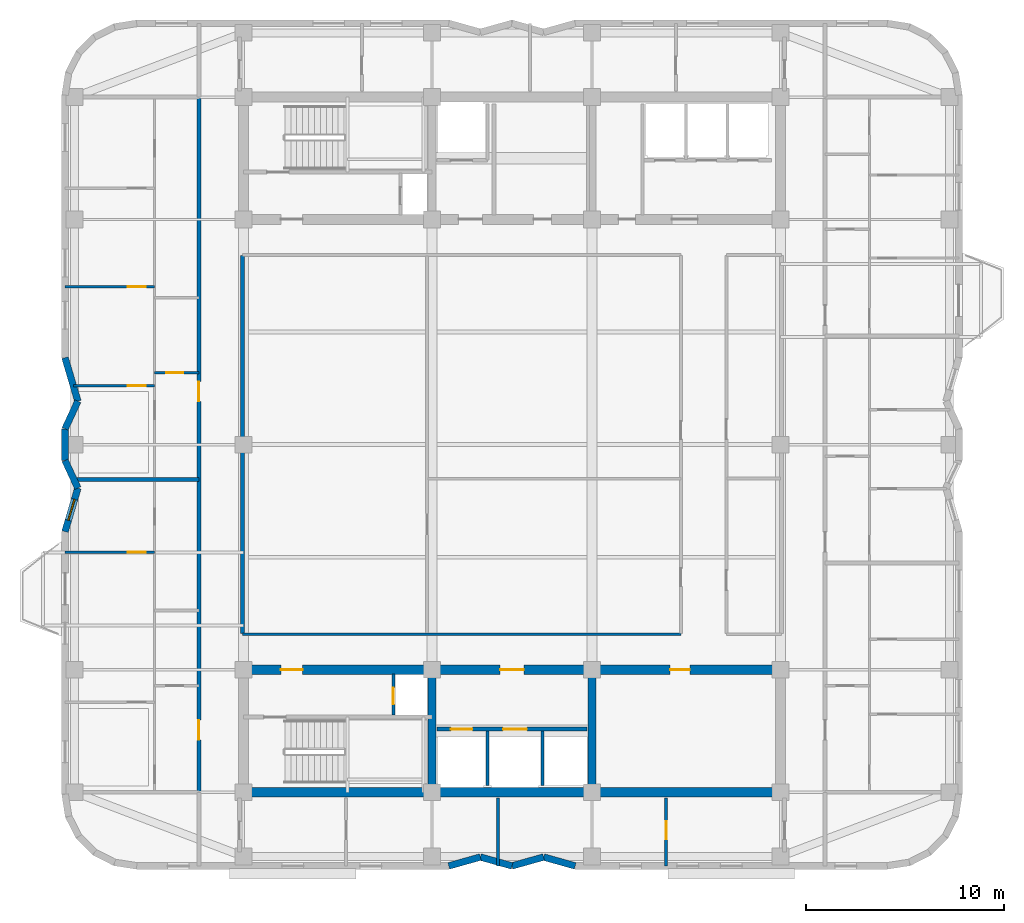
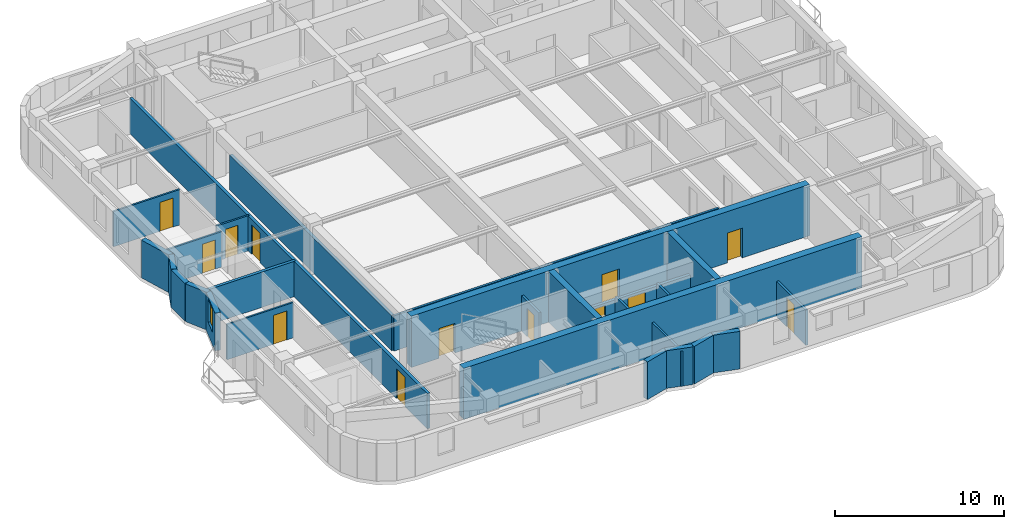
# One storey, part 3 of 9: 27 walls, 13 doors, 1 window, 14 openings.
"""IFC4 building model written with IfcOpenShell, lengths in metres."""

from ifc_helpers import new_model, si_unit, direction, frame, frame_2d, origin, place, context, subcontext, project, spatial, rectangle, extrude, material, layer, layer_set, type_object, element, fill, save


model = new_model("IFC4")

# Units and contexts
model_context = context("Model", 3, precision=1e-05, world=origin(), true_north=direction((0.0, 1.0)))
body_context = subcontext(model_context, "Body", "Model", "MODEL_VIEW")
ifc_project = project(units=[si_unit("LENGTHUNIT", "METRE"), si_unit("AREAUNIT", "SQUARE_METRE"), si_unit("VOLUMEUNIT", "CUBIC_METRE"), si_unit("PLANEANGLEUNIT", "RADIAN"), si_unit("MASSUNIT", "GRAM", prefix="KILO")], contexts=[model_context])

# Site, building, storey
site_placement = place(None, origin())
site = spatial("IfcSite", under=ifc_project, at=site_placement, CompositionType="ELEMENT")
building_placement = place(site_placement, origin())
building = spatial("IfcBuilding", under=site, at=building_placement, Name="Svetorya Sky Lyceum", CompositionType="ELEMENT")
storey_placement = place(building_placement, frame((0.0, 0.0, 214.699951171875)))
storey = spatial("IfcBuildingStorey", under=building, at=storey_placement, Name="L53", CompositionType="ELEMENT", Elevation=214.699951171875)

# Walls
ifc_material_1 = material(Name="Concrete C40/50", Category="concrete")
ifc_layer_1 = layer(ifc_material_1, 0.39990234375)
ifc_layer_set_1 = layer_set([ifc_layer_1], Name="Concrete C40/50")
wall_type_1 = type_object("IfcWallType", Name="WL-CORE-400", PredefinedType="SHEAR", material=ifc_layer_set_1)
for number, where, z_axis, x_axis, name in (
    (1, (35.14990234375, 10.85009765625, 0.0), (0.0, 0.0, 1.0), (0.0, 1.0, 0.0), "L53 SC Internal Shear Web WEB1"),
    (2, (43.25, 10.85009765625, 0.0), (0.0, 0.0, 1.0), (0.0, 1.0, 0.0), "L53 SC Internal Shear Web WEB2"),
):
    element("IfcWall", number, at=place(storey_placement, frame(where, z_axis=z_axis, x_axis=x_axis)), inside=storey, type_object=wall_type_1, Name=name, PredefinedType="SHEAR", context=body_context, shape_type="SweptSolid", body=[
        extrude(rectangle(XDim=5.699951171875, YDim=0.39990234375, at=frame_2d((2.85009765625, 0.0))), origin(), (0.0, 0.0, 1.0), 3.699951171875),
    ])
ifc_material_2 = material(Name="Concrete C50/60", Category="concrete")
ifc_layer_2 = layer(ifc_material_2, 0.5)
ifc_layer_set_2 = layer_set([ifc_layer_2], Name="Concrete C50/60")
wall_type_2 = type_object("IfcWallType", Name="WL-CORE-500", PredefinedType="SHEAR", material=ifc_layer_set_2)
wall_1_placement = place(storey_placement, frame((52.800048828125, 10.60009765625, 0.0), z_axis=(0.0, 0.0, 1.0), x_axis=(-1.0, 0.0, 0.0)))
element("IfcWall", 3, at=wall_1_placement, inside=storey, type_object=wall_type_2, Name="L53 SC Outer Core Shear Wall", PredefinedType="SHEAR", context=body_context, shape_type="SweptSolid", body=[
    extrude(rectangle(XDim=27.199951171875, YDim=0.5, at=frame_2d((13.60009765625, 0.0))), origin(), (0.0, 0.0, 1.0), 3.699951171875),
])

# Wall, openings, doors
wall_2_placement = place(storey_placement, frame((25.60009765625, 16.800048828125, 0.0), z_axis=(0.0, 0.0, 1.0), x_axis=(1.0, 0.0, 0.0)))
wall_2 = element("IfcWall", 4, at=wall_2_placement, inside=storey, type_object=wall_type_2, Name="L53 SC Inner Core Shear Wall", PredefinedType="SHEAR", context=body_context, shape_type="SweptSolid", body=[
    extrude(rectangle(XDim=27.199951171875, YDim=0.5, at=frame_2d((13.60009765625, 0.0))), origin(), (0.0, 0.0, 1.0), 3.699951171875),
])
opening_1_placement = place(wall_2_placement, frame((1.89990234375, 0.0, 0.0)))
opening_1 = element("IfcOpeningElement", 5, at=opening_1_placement, cuts=wall_2, Name="Opening D-ST1", PredefinedType="OPENING", context=body_context, shape_type="SweptSolid", body=[
    extrude(rectangle(XDim=1.10009765625, YDim=2.14990234375, at=frame_2d((0.550048828125, 1.074951171875))), frame((0.0, 0.260009765625, 0.0), z_axis=(0.0, -1.0, 0.0), x_axis=(1.0, 0.0, 0.0)), (0.0, 0.0, 1.0), 0.52001953125),
])
opening_2_placement = place(wall_2_placement, frame((13.0, 0.0, 0.0)))
opening_2 = element("IfcOpeningElement", 6, at=opening_2_placement, cuts=wall_2, Name="Opening D-FL1", PredefinedType="OPENING", context=body_context, shape_type="SweptSolid", body=[
    extrude(rectangle(XDim=1.199951171875, YDim=2.14990234375, at=frame_2d((0.60009765625, 1.074951171875))), frame((0.0, 0.260009765625, 0.0), z_axis=(0.0, -1.0, 0.0), x_axis=(1.0, 0.0, 0.0)), (0.0, 0.0, 1.0), 0.52001953125),
])
opening_3_placement = place(wall_2_placement, frame((21.60009765625, 0.0, 0.0)))
opening_3 = element("IfcOpeningElement", 7, at=opening_3_placement, cuts=wall_2, Name="Opening D-RM2", PredefinedType="OPENING", context=body_context, shape_type="SweptSolid", body=[
    extrude(rectangle(XDim=1.0, YDim=2.14990234375, at=frame_2d((0.5, 1.074951171875))), frame((0.0, 0.260009765625, 0.0), z_axis=(0.0, -1.0, 0.0), x_axis=(1.0, 0.0, 0.0)), (0.0, 0.0, 1.0), 0.52001953125),
])
ifc_material_3 = material(Name="Powder-coated insulated galvanized stair fire door")
door_type_1 = type_object("IfcDoorType", Name="DR-FIRE-1100", OperationType="SINGLE_SWING_LEFT", PredefinedType="DOOR", material=ifc_material_3)
door_1_placement = place(opening_1_placement, origin())
door_1 = element("IfcDoor", 8, at=door_1_placement, inside=storey, type_object=door_type_1, Name="L53 South Stair Airlock Door", OperationType="SINGLE_SWING_RIGHT", OverallHeight=2.14990234375, OverallWidth=1.10009765625, PredefinedType="DOOR", context=body_context, shape_type="SweptSolid", body=[
    extrude(rectangle(XDim=1.10009765625, YDim=2.14990234375, at=frame_2d((0.550048828125, 1.074951171875))), frame((0.0, 0.02490234375, 0.0), z_axis=(0.0, -1.0, 0.0), x_axis=(1.0, 0.0, 0.0)), (0.0, 0.0, 1.0), 0.050048828125),
])
fill(opening_1, door_1)
ifc_material_4 = material(Name="Powder-coated insulated galvanized fire door")
door_type_2 = type_object("IfcDoorType", Name="DR-FIRE-1200", OperationType="SINGLE_SWING_LEFT", PredefinedType="DOOR", material=ifc_material_4)
door_2_placement = place(opening_2_placement, origin())
door_2 = element("IfcDoor", 9, at=door_2_placement, inside=storey, type_object=door_type_2, Name="L53 South Firefighting Lift Lobby Door", OperationType="SINGLE_SWING_LEFT", OverallHeight=2.14990234375, OverallWidth=1.199951171875, PredefinedType="DOOR", context=body_context, shape_type="SweptSolid", body=[
    extrude(rectangle(XDim=1.199951171875, YDim=2.14990234375, at=frame_2d((0.60009765625, 1.074951171875))), frame((0.0, 0.02490234375, 0.0), z_axis=(0.0, -1.0, 0.0), x_axis=(1.0, 0.0, 0.0)), (0.0, 0.0, 1.0), 0.050048828125),
])
fill(opening_2, door_2)
ifc_material_5 = material(Name="Solid-core oak acoustic room door")
door_type_3 = type_object("IfcDoorType", Name="DR-INT-1000", OperationType="SINGLE_SWING_LEFT", PredefinedType="DOOR", material=ifc_material_5)
door_3_placement = place(opening_3_placement, origin())
door_3 = element("IfcDoor", 10, at=door_3_placement, inside=storey, type_object=door_type_3, Name="L53 Trunk Store Door", OperationType="SINGLE_SWING_LEFT", OverallHeight=2.14990234375, OverallWidth=1.0, PredefinedType="DOOR", context=body_context, shape_type="SweptSolid", body=[
    extrude(rectangle(XDim=1.0, YDim=2.14990234375, at=frame_2d((0.5, 1.074951171875))), frame((0.0, 0.02490234375, 0.0), z_axis=(0.0, -1.0, 0.0), x_axis=(1.0, 0.0, 0.0)), (0.0, 0.0, 1.0), 0.050048828125),
])
fill(opening_3, door_3)

# Walls
ifc_material_6 = material(Name="Putilovo limestone rainscreen on autoclaved cellular masonry", Category="masonry")
ifc_layer_3 = layer(ifc_material_6, 0.340087890625)
ifc_layer_set_3 = layer_set([ifc_layer_3], Name="Putilovo limestone rainscreen on autoclaved cellular masonry")
wall_type_3 = type_object("IfcWallType", Name="WL-EXT-340", PredefinedType="SOLIDWALL", material=ifc_layer_set_3)
wall_3_placement = place(storey_placement, frame((36.0, 6.8701171875, 0.0), z_axis=(0.0, 0.0, 1.0), x_axis=(0.962662902433, 0.270703040766, 0.0)))
element("IfcWall", 11, at=wall_3_placement, inside=storey, type_object=wall_type_3, Name="L53 Limestone Exterior Wall 7M", PredefinedType="SOLIDWALL", context=body_context, shape_type="SweptSolid", body=[
    extrude(rectangle(XDim=1.662109375, YDim=0.340087890625, at=frame_2d((0.8310546875, 0.0))), origin(), (0.0, 0.0, 1.0), 2.719970703125),
])
wall_4_placement = place(storey_placement, frame((37.60009765625, 7.320068359375, 0.0), z_axis=(0.0, 0.0, 1.0), x_axis=(0.962652136636, -0.270741322725, 0.0)))
element("IfcWall", 12, at=wall_4_placement, inside=storey, type_object=wall_type_3, Name="L53 Limestone Exterior Wall 8M", PredefinedType="SOLIDWALL", context=body_context, shape_type="SweptSolid", body=[
    extrude(rectangle(XDim=1.661865234375, YDim=0.340087890625, at=frame_2d((0.8310546875, 0.0))), origin(), (0.0, 0.0, 1.0), 2.719970703125),
])
wall_5_placement = place(storey_placement, frame((39.199951171875, 6.8701171875, 0.0), z_axis=(0.0, 0.0, 1.0), x_axis=(0.962662902433, 0.270703040766, 0.0)))
element("IfcWall", 13, at=wall_5_placement, inside=storey, type_object=wall_type_3, Name="L53 Limestone Exterior Wall 9M", PredefinedType="SOLIDWALL", context=body_context, shape_type="SweptSolid", body=[
    extrude(rectangle(XDim=1.662109375, YDim=0.340087890625, at=frame_2d((0.8310546875, 0.0))), origin(), (0.0, 0.0, 1.0), 2.719970703125),
])
wall_6_placement = place(storey_placement, frame((40.800048828125, 7.320068359375, 0.0), z_axis=(0.0, 0.0, 1.0), x_axis=(0.962652136636, -0.270741322725, 0.0)))
element("IfcWall", 14, at=wall_6_placement, inside=storey, type_object=wall_type_3, Name="L53 Limestone Exterior Wall 10M", PredefinedType="SOLIDWALL", context=body_context, shape_type="SweptSolid", body=[
    extrude(rectangle(XDim=1.661865234375, YDim=0.340087890625, at=frame_2d((0.8310546875, 0.0))), origin(), (0.0, 0.0, 1.0), 2.719970703125),
])
wall_7_placement = place(storey_placement, frame((16.570068359375, 32.60009765625, 0.0), z_axis=(0.0, 0.0, 1.0), x_axis=(0.28328385701, -0.959036107953, 0.0)))
element("IfcWall", 15, at=wall_7_placement, inside=storey, type_object=wall_type_3, Name="L53 Limestone Exterior Wall 41M", PredefinedType="SOLIDWALL", context=body_context, shape_type="SweptSolid", body=[
    extrude(rectangle(XDim=2.294189453125, YDim=0.340087890625, at=frame_2d((1.14697265625, 0.0))), origin(), (0.0, 0.0, 1.0), 2.719970703125),
])
wall_8_placement = place(storey_placement, frame((17.219970703125, 30.39990234375, 0.0), z_axis=(0.0, 0.0, 1.0), x_axis=(-0.421083420882, -0.907021914101, 0.0)))
element("IfcWall", 16, at=wall_8_placement, inside=storey, type_object=wall_type_3, Name="L53 Limestone Exterior Wall 42M", PredefinedType="SOLIDWALL", context=body_context, shape_type="SweptSolid", body=[
    extrude(rectangle(XDim=1.54345703125, YDim=0.340087890625, at=frame_2d((0.771728515625, 0.0))), origin(), (0.0, 0.0, 1.0), 2.719970703125),
])
wall_9_placement = place(storey_placement, frame((16.570068359375, 29.0, 0.0), z_axis=(0.0, 0.0, 1.0), x_axis=(0.0, -1.0, 0.0)))
element("IfcWall", 17, at=wall_9_placement, inside=storey, type_object=wall_type_3, Name="L53 Limestone Exterior Wall 43M", PredefinedType="SOLIDWALL", context=body_context, shape_type="SweptSolid", body=[
    extrude(rectangle(XDim=1.60009765625, YDim=0.340087890625, at=frame_2d((0.800048828125, 0.0))), origin(), (0.0, 0.0, 1.0), 2.719970703125),
])
wall_10_placement = place(storey_placement, frame((16.570068359375, 27.39990234375, 0.0), z_axis=(0.0, 0.0, 1.0), x_axis=(0.421083420882, -0.907021914101, 0.0)))
element("IfcWall", 18, at=wall_10_placement, inside=storey, type_object=wall_type_3, Name="L53 Limestone Exterior Wall 44M", PredefinedType="SOLIDWALL", context=body_context, shape_type="SweptSolid", body=[
    extrude(rectangle(XDim=1.54345703125, YDim=0.340087890625, at=frame_2d((0.771728515625, 0.0))), origin(), (0.0, 0.0, 1.0), 2.719970703125),
])

# Wall, opening, window
wall_11_placement = place(storey_placement, frame((17.219970703125, 26.0, 0.0), z_axis=(0.0, 0.0, 1.0), x_axis=(-0.283312771328, -0.959027566654, 0.0)))
wall_11 = element("IfcWall", 19, at=wall_11_placement, inside=storey, type_object=wall_type_3, Name="L53 Limestone Exterior Wall 45M", PredefinedType="SOLIDWALL", context=body_context, shape_type="SweptSolid", body=[
    extrude(rectangle(XDim=2.2939453125, YDim=0.340087890625, at=frame_2d((1.14697265625, 0.0))), origin(), (0.0, 0.0, 1.0), 2.719970703125),
])
opening_4_placement = place(wall_11_placement, frame((0.596923828125, 0.0, 0.909912109375)))
opening_4 = element("IfcOpeningElement", 20, at=opening_4_placement, cuts=wall_11, Name="Opening W-R3", PredefinedType="OPENING", context=body_context, shape_type="SweptSolid", body=[
    extrude(rectangle(XDim=1.10009765625, YDim=1.64990234375, at=frame_2d((0.550048828125, 0.824951171875))), frame((0.0, 0.179931640625, 0.0), z_axis=(0.0, -1.0, 0.0), x_axis=(1.0, 0.0, 0.0)), (0.0, 0.0, 1.0), 0.360107421875),
])
ifc_material_7 = material(Name="Thermally broken aluminium frame with triple low-E glazing", Category="aluminium")
window_type = type_object("IfcWindowType", Name="WN-RES-110", PartitioningType="SINGLE_PANEL", PredefinedType="WINDOW", material=ifc_material_7)
window_placement = place(opening_4_placement, origin())
window = element("IfcWindow", 21, at=window_placement, inside=storey, type_object=window_type, Name="L53 Facade Window W-R3.45M.1", OverallHeight=1.64990234375, OverallWidth=1.10009765625, PartitioningType="SINGLE_PANEL", PredefinedType="WINDOW", context=body_context, shape_type="SweptSolid", body=[
    extrude(rectangle(XDim=1.10009765625, YDim=1.64990234375, at=frame_2d((0.550048828125, 0.824951171875))), frame((0.0, 0.030029296875, 0.0), z_axis=(0.0, -1.0, 0.0), x_axis=(1.0, 0.0, 0.0)), (0.0, 0.0, 1.0), 0.06005859375),
])
fill(opening_4, window)

# Wall, opening, door
ifc_material_8 = material(Name="Twin-stud galvanized framing with double fireboard", Category="gypsum")
ifc_layer_4 = layer(ifc_material_8, 0.1201171875)
ifc_layer_set_4 = layer_set([ifc_layer_4], Name="Twin-stud galvanized framing with double fireboard")
wall_type_4 = type_object("IfcWallType", Name="WL-PART-120", PredefinedType="PARTITIONING", material=ifc_layer_set_4)
wall_12_placement = place(storey_placement, frame((16.570068359375, 22.75, 0.0), z_axis=(0.0, 0.0, 1.0), x_axis=(1.0, 0.0, 0.0)))
wall_12 = element("IfcWall", 22, at=wall_12_placement, inside=storey, type_object=wall_type_4, Name="L53 Interior Partition W1-WL2", PredefinedType="PARTITIONING", context=body_context, shape_type="SweptSolid", body=[
    extrude(rectangle(XDim=4.530029296875, YDim=0.1201171875, at=frame_2d((2.26513671875, 0.0))), origin(), (0.0, 0.0, 1.0), 2.550048828125),
])
opening_5_placement = place(wall_12_placement, frame((3.179931640625, 0.0, 0.0)))
opening_5 = element("IfcOpeningElement", 23, at=opening_5_placement, cuts=wall_12, Name="Opening D-RM1", PredefinedType="OPENING", context=body_context, shape_type="SweptSolid", body=[
    extrude(rectangle(XDim=0.89990234375, YDim=2.10009765625, at=frame_2d((0.449951171875, 1.050048828125))), frame((0.0, 0.070068359375, 0.0), z_axis=(0.0, -1.0, 0.0), x_axis=(1.0, 0.0, 0.0)), (0.0, 0.0, 1.0), 0.14013671875),
])
ifc_material_9 = material(Name="Lacquered birch veneer internal door")
door_type_4 = type_object("IfcDoorType", Name="DR-INT-900", OperationType="SINGLE_SWING_LEFT", PredefinedType="DOOR", material=ifc_material_9)
door_4_placement = place(opening_5_placement, origin())
door_4 = element("IfcDoor", 24, at=door_4_placement, inside=storey, type_object=door_type_4, Name="Apartment W1 Bedroom 2 Door", OperationType="SINGLE_SWING_RIGHT", OverallHeight=2.10009765625, OverallWidth=0.89990234375, PredefinedType="DOOR", context=body_context, shape_type="SweptSolid", body=[
    extrude(rectangle(XDim=0.89990234375, YDim=2.10009765625, at=frame_2d((0.449951171875, 1.050048828125))), frame((0.0, 0.02490234375, 0.0), z_axis=(0.0, -1.0, 0.0), x_axis=(1.0, 0.0, 0.0)), (0.0, 0.0, 1.0), 0.050048828125),
])
fill(opening_5, door_4)

wall_13_placement = place(storey_placement, frame((21.10009765625, 31.840087890625, 0.0), z_axis=(0.0, 0.0, 1.0), x_axis=(1.0, 0.0, 0.0)))
wall_13 = element("IfcWall", 25, at=wall_13_placement, inside=storey, type_object=wall_type_4, Name="L53 Interior Partition W2-WH1", PredefinedType="PARTITIONING", context=body_context, shape_type="SweptSolid", body=[
    extrude(rectangle(XDim=2.25, YDim=0.1201171875, at=frame_2d((1.125, 0.0))), origin(), (0.0, 0.0, 1.0), 2.550048828125),
])
opening_6_placement = place(wall_13_placement, frame((0.60009765625, 0.0, 0.0)))
opening_6 = element("IfcOpeningElement", 26, at=opening_6_placement, cuts=wall_13, Name="Opening D-BT1", PredefinedType="OPENING", context=body_context, shape_type="SweptSolid", body=[
    extrude(rectangle(XDim=0.85009765625, YDim=2.10009765625, at=frame_2d((0.425048828125, 1.050048828125))), frame((0.0, 0.070068359375, 0.0), z_axis=(0.0, -1.0, 0.0), x_axis=(1.0, 0.0, 0.0)), (0.0, 0.0, 1.0), 0.14013671875),
])
ifc_material_10 = material(Name="Moisture-resistant laminate bathroom door")
door_type_5 = type_object("IfcDoorType", Name="DR-WET-850", OperationType="SINGLE_SWING_LEFT", PredefinedType="DOOR", material=ifc_material_10)
door_5_placement = place(opening_6_placement, origin())
door_5 = element("IfcDoor", 27, at=door_5_placement, inside=storey, type_object=door_type_5, Name="Apartment W2 Bathroom Door", OperationType="SINGLE_SWING_RIGHT", OverallHeight=2.10009765625, OverallWidth=0.85009765625, PredefinedType="DOOR", context=body_context, shape_type="SweptSolid", body=[
    extrude(rectangle(XDim=0.85009765625, YDim=2.10009765625, at=frame_2d((0.425048828125, 1.050048828125))), frame((0.0, 0.02490234375, 0.0), z_axis=(0.0, -1.0, 0.0), x_axis=(1.0, 0.0, 0.0)), (0.0, 0.0, 1.0), 0.050048828125),
])
fill(opening_6, door_5)

wall_14_placement = place(storey_placement, frame((16.986572265625, 31.18994140625, 0.0), z_axis=(0.0, 0.0, 1.0), x_axis=(1.0, 0.0, 0.0)))
wall_14 = element("IfcWall", 28, at=wall_14_placement, inside=storey, type_object=wall_type_4, Name="L53 Interior Partition W2-WL1", PredefinedType="PARTITIONING", context=body_context, shape_type="SweptSolid", body=[
    extrude(rectangle(XDim=4.113525390625, YDim=0.1201171875, at=frame_2d((2.056640625, 0.0))), origin(), (0.0, 0.0, 1.0), 2.550048828125),
])
opening_7_placement = place(wall_14_placement, frame((2.763427734375, 0.0, 0.0)))
opening_7 = element("IfcOpeningElement", 29, at=opening_7_placement, cuts=wall_14, Name="Opening D-RM1", PredefinedType="OPENING", context=body_context, shape_type="SweptSolid", body=[
    extrude(rectangle(XDim=0.89990234375, YDim=2.10009765625, at=frame_2d((0.449951171875, 1.050048828125))), frame((0.0, 0.070068359375, 0.0), z_axis=(0.0, -1.0, 0.0), x_axis=(1.0, 0.0, 0.0)), (0.0, 0.0, 1.0), 0.14013671875),
])
door_6_placement = place(opening_7_placement, origin())
door_6 = element("IfcDoor", 30, at=door_6_placement, inside=storey, type_object=door_type_4, Name="Apartment W2 Master Bedroom Door", OperationType="SINGLE_SWING_RIGHT", OverallHeight=2.10009765625, OverallWidth=0.89990234375, PredefinedType="DOOR", context=body_context, shape_type="SweptSolid", body=[
    extrude(rectangle(XDim=0.89990234375, YDim=2.10009765625, at=frame_2d((0.449951171875, 1.050048828125))), frame((0.0, 0.02490234375, 0.0), z_axis=(0.0, -1.0, 0.0), x_axis=(1.0, 0.0, 0.0)), (0.0, 0.0, 1.0), 0.050048828125),
])
fill(opening_7, door_6)

wall_15_placement = place(storey_placement, frame((16.570068359375, 36.18994140625, 0.0), z_axis=(0.0, 0.0, 1.0), x_axis=(1.0, 0.0, 0.0)))
wall_15 = element("IfcWall", 31, at=wall_15_placement, inside=storey, type_object=wall_type_4, Name="L53 Interior Partition W2-WL2", PredefinedType="PARTITIONING", context=body_context, shape_type="SweptSolid", body=[
    extrude(rectangle(XDim=4.530029296875, YDim=0.1201171875, at=frame_2d((2.26513671875, 0.0))), origin(), (0.0, 0.0, 1.0), 2.550048828125),
])
opening_8_placement = place(wall_15_placement, frame((3.179931640625, 0.0, 0.0)))
opening_8 = element("IfcOpeningElement", 32, at=opening_8_placement, cuts=wall_15, Name="Opening D-RM1", PredefinedType="OPENING", context=body_context, shape_type="SweptSolid", body=[
    extrude(rectangle(XDim=0.89990234375, YDim=2.10009765625, at=frame_2d((0.449951171875, 1.050048828125))), frame((0.0, 0.070068359375, 0.0), z_axis=(0.0, -1.0, 0.0), x_axis=(1.0, 0.0, 0.0)), (0.0, 0.0, 1.0), 0.14013671875),
])
door_7_placement = place(opening_8_placement, origin())
door_7 = element("IfcDoor", 33, at=door_7_placement, inside=storey, type_object=door_type_4, Name="Apartment W2 Bedroom 2 Door", OperationType="SINGLE_SWING_LEFT", OverallHeight=2.10009765625, OverallWidth=0.89990234375, PredefinedType="DOOR", context=body_context, shape_type="SweptSolid", body=[
    extrude(rectangle(XDim=0.89990234375, YDim=2.10009765625, at=frame_2d((0.449951171875, 1.050048828125))), frame((0.0, 0.02490234375, 0.0), z_axis=(0.0, -1.0, 0.0), x_axis=(1.0, 0.0, 0.0)), (0.0, 0.0, 1.0), 0.050048828125),
])
fill(opening_8, door_7)

ifc_material_11 = material(Name="Autoclaved cellular masonry blockwork with acoustic render", Category="masonry")
ifc_layer_5 = layer(ifc_material_11, 0.14990234375)
ifc_layer_set_5 = layer_set([ifc_layer_5], Name="Autoclaved cellular masonry blockwork with acoustic render")
wall_type_5 = type_object("IfcWallType", Name="WL-PART-150", PredefinedType="PARTITIONING", material=ifc_layer_set_5)
wall_16_placement = place(storey_placement, frame((33.199951171875, 14.5, 0.0), z_axis=(0.0, 0.0, 1.0), x_axis=(0.0, 1.0, 0.0)))
wall_16 = element("IfcWall", 34, at=wall_16_placement, inside=storey, type_object=wall_type_5, Name="L53 Interior Partition SC-AIRDIV", PredefinedType="PARTITIONING", context=body_context, shape_type="SweptSolid", body=[
    extrude(rectangle(XDim=2.080078125, YDim=0.14990234375, at=frame_2d((1.0400390625, 0.0))), origin(), (0.0, 0.0, 1.0), 2.550048828125),
])
opening_9_placement = place(wall_16_placement, frame((0.550048828125, 0.0, 0.0)))
opening_9 = element("IfcOpeningElement", 35, at=opening_9_placement, cuts=wall_16, Name="Opening D-SH1", PredefinedType="OPENING", context=body_context, shape_type="SweptSolid", body=[
    extrude(rectangle(XDim=0.85009765625, YDim=2.050048828125, at=frame_2d((0.425048828125, 1.02490234375))), frame((0.0, 0.0849609375, 0.0), z_axis=(0.0, -1.0, 0.0), x_axis=(1.0, 0.0, 0.0)), (0.0, 0.0, 1.0), 0.169921875),
])
ifc_material_12 = material(Name="Insulated galvanized riser inspection fire door")
door_type_6 = type_object("IfcDoorType", Name="DR-SHFT-850", OperationType="SINGLE_SWING_LEFT", PredefinedType="TRAPDOOR", material=ifc_material_12)
door_8_placement = place(opening_9_placement, origin())
door_8 = element("IfcDoor", 36, at=door_8_placement, inside=storey, type_object=door_type_6, Name="L53 South Riser Access Door", OperationType="SINGLE_SWING_RIGHT", OverallHeight=2.050048828125, OverallWidth=0.85009765625, PredefinedType="TRAPDOOR", context=body_context, shape_type="SweptSolid", body=[
    extrude(rectangle(XDim=0.85009765625, YDim=2.050048828125, at=frame_2d((0.425048828125, 1.02490234375))), frame((0.0, 0.02490234375, 0.0), z_axis=(0.0, -1.0, 0.0), x_axis=(1.0, 0.0, 0.0)), (0.0, 0.0, 1.0), 0.050048828125),
])
fill(opening_9, door_8)

# Walls
for number, where, z_axis, x_axis, name in (
    (37, (37.949951171875, 10.949951171875, 0.0), (0.0, 0.0, 1.0), (0.0, 1.0, 0.0), "L53 Interior Partition SC-SHD1"),
    (38, (40.75, 10.949951171875, 0.0), (0.0, 0.0, 1.0), (0.0, 1.0, 0.0), "L53 Interior Partition SC-SHD2"),
):
    element("IfcWall", number, at=place(storey_placement, frame(where, z_axis=z_axis, x_axis=x_axis)), inside=storey, type_object=wall_type_5, Name=name, PredefinedType="PARTITIONING", context=body_context, shape_type="SweptSolid", body=[
        extrude(rectangle(XDim=2.75, YDim=0.14990234375, at=frame_2d((1.375, 0.0))), origin(), (0.0, 0.0, 1.0), 2.550048828125),
    ])
wall_17_placement = place(storey_placement, frame((25.550048828125, 18.60009765625, 0.0), z_axis=(0.0, 0.0, 1.0), x_axis=(1.0, 0.0, 0.0)))
element("IfcWall", 39, at=wall_17_placement, inside=storey, type_object=wall_type_5, Name="L53 Interior Partition OFF-CS-W", PredefinedType="PARTITIONING", context=body_context, shape_type="SweptSolid", body=[
    extrude(rectangle(XDim=22.199951171875, YDim=0.14990234375, at=frame_2d((11.10009765625, 0.0))), origin(), (0.0, 0.0, 1.0), 2.550048828125),
])
wall_18_placement = place(storey_placement, frame((38.5, 6.8701171875, 0.0), z_axis=(0.0, 0.0, 1.0), x_axis=(0.0, 1.0, 0.0)))
element("IfcWall", 40, at=wall_18_placement, inside=storey, type_object=wall_type_5, Name="L53 Interior Partition S4-D2", PredefinedType="PARTITIONING", context=body_context, shape_type="SweptSolid", body=[
    extrude(rectangle(XDim=3.429931640625, YDim=0.14990234375, at=frame_2d((1.71484375, 0.0))), origin(), (0.0, 0.0, 1.0), 2.550048828125),
])

# Wall, opening, door
wall_19_placement = place(storey_placement, frame((47.0, 6.8701171875, 0.0), z_axis=(0.0, 0.0, 1.0), x_axis=(0.0, 1.0, 0.0)))
wall_19 = element("IfcWall", 41, at=wall_19_placement, inside=storey, type_object=wall_type_5, Name="L53 Interior Partition S4-D3", PredefinedType="PARTITIONING", context=body_context, shape_type="SweptSolid", body=[
    extrude(rectangle(XDim=3.429931640625, YDim=0.14990234375, at=frame_2d((1.71484375, 0.0))), origin(), (0.0, 0.0, 1.0), 2.550048828125),
])
opening_10_placement = place(wall_19_placement, frame((1.35009765625, 0.0, 0.0)))
opening_10 = element("IfcOpeningElement", 42, at=opening_10_placement, cuts=wall_19, Name="Opening D-RM1", PredefinedType="OPENING", context=body_context, shape_type="SweptSolid", body=[
    extrude(rectangle(XDim=0.89990234375, YDim=2.10009765625, at=frame_2d((0.449951171875, 1.050048828125))), frame((0.0, 0.0849609375, 0.0), z_axis=(0.0, -1.0, 0.0), x_axis=(1.0, 0.0, 0.0)), (0.0, 0.0, 1.0), 0.169921875),
])
door_9_placement = place(opening_10_placement, origin())
door_9 = element("IfcDoor", 43, at=door_9_placement, inside=storey, type_object=door_type_4, Name="L53 South Suite Door 3", OperationType="SINGLE_SWING_LEFT", OverallHeight=2.10009765625, OverallWidth=0.89990234375, PredefinedType="DOOR", context=body_context, shape_type="SweptSolid", body=[
    extrude(rectangle(XDim=0.89990234375, YDim=2.10009765625, at=frame_2d((0.449951171875, 1.050048828125))), frame((0.0, 0.02490234375, 0.0), z_axis=(0.0, -1.0, 0.0), x_axis=(1.0, 0.0, 0.0)), (0.0, 0.0, 1.0), 0.050048828125),
])
fill(opening_10, door_9)

# Wall, openings, doors
ifc_material_13 = material(Name="Autoclaved cellular masonry blockwork with gypsum plaster", Category="masonry")
ifc_layer_6 = layer(ifc_material_13, 0.199951171875)
ifc_layer_set_6 = layer_set([ifc_layer_6], Name="Autoclaved cellular masonry blockwork with gypsum plaster")
wall_type_6 = type_object("IfcWallType", Name="WL-PART-200", PredefinedType="PARTITIONING", material=ifc_layer_set_6)
wall_20_placement = place(storey_placement, frame((35.39990234375, 13.800048828125, 0.0), z_axis=(0.0, 0.0, 1.0), x_axis=(1.0, 0.0, 0.0)))
wall_20 = element("IfcWall", 44, at=wall_20_placement, inside=storey, type_object=wall_type_6, Name="L53 Interior Partition SC-FLW", PredefinedType="PARTITIONING", context=body_context, shape_type="SweptSolid", body=[
    extrude(rectangle(XDim=7.60009765625, YDim=0.199951171875, at=frame_2d((3.800048828125, 0.0))), origin(), (0.0, 0.0, 1.0), 2.320068359375),
])
opening_11_placement = place(wall_20_placement, frame((0.699951171875, 0.0, 0.0)))
opening_11 = element("IfcOpeningElement", 45, at=opening_11_placement, cuts=wall_20, Name="Opening LD-FL", PredefinedType="OPENING", context=body_context, shape_type="SweptSolid", body=[
    extrude(rectangle(XDim=1.10009765625, YDim=2.14990234375, at=frame_2d((0.550048828125, 1.074951171875))), frame((0.0, 0.10986328125, 0.0), z_axis=(0.0, -1.0, 0.0), x_axis=(1.0, 0.0, 0.0)), (0.0, 0.0, 1.0), 0.219970703125),
])
opening_12_placement = place(wall_20_placement, frame((3.35009765625, 0.0, 0.0)))
opening_12 = element("IfcOpeningElement", 46, at=opening_12_placement, cuts=wall_20, Name="Opening LD-SV", PredefinedType="OPENING", context=body_context, shape_type="SweptSolid", body=[
    extrude(rectangle(XDim=1.199951171875, YDim=2.14990234375, at=frame_2d((0.60009765625, 1.074951171875))), frame((0.0, 0.10986328125, 0.0), z_axis=(0.0, -1.0, 0.0), x_axis=(1.0, 0.0, 0.0)), (0.0, 0.0, 1.0), 0.219970703125),
])
ifc_material_14 = material(Name="Fire-rated stainless AISI 304 firefighting lift landing door")
door_type_7 = type_object("IfcDoorType", Name="DR-LIFT-1100", OperationType="SLIDING_TO_LEFT", PredefinedType="DOOR", material=ifc_material_14)
door_10_placement = place(opening_11_placement, origin())
door_10 = element("IfcDoor", 47, at=door_10_placement, inside=storey, type_object=door_type_7, Name="L53 Firefighting Lift FL2 Landing Door", OperationType="SLIDING_TO_LEFT", OverallHeight=2.14990234375, OverallWidth=1.10009765625, PredefinedType="DOOR", context=body_context, shape_type="SweptSolid", body=[
    extrude(rectangle(XDim=1.10009765625, YDim=2.14990234375, at=frame_2d((0.550048828125, 1.074951171875))), frame((0.0, 0.02490234375, 0.0), z_axis=(0.0, -1.0, 0.0), x_axis=(1.0, 0.0, 0.0)), (0.0, 0.0, 1.0), 0.050048828125),
])
fill(opening_11, door_10)
ifc_material_15 = material(Name="Brushed stainless AISI 304 telescopic lift landing door")
door_type_8 = type_object("IfcDoorType", Name="DR-LIFT-1200", OperationType="SLIDING_TO_LEFT", PredefinedType="DOOR", material=ifc_material_15)
door_11_placement = place(opening_12_placement, origin())
door_11 = element("IfcDoor", 48, at=door_11_placement, inside=storey, type_object=door_type_8, Name="L53 Service Lift SVL1 Landing Door", OperationType="SLIDING_TO_LEFT", OverallHeight=2.14990234375, OverallWidth=1.199951171875, PredefinedType="DOOR", context=body_context, shape_type="SweptSolid", body=[
    extrude(rectangle(XDim=1.199951171875, YDim=2.14990234375, at=frame_2d((0.60009765625, 1.074951171875))), frame((0.0, 0.02490234375, 0.0), z_axis=(0.0, -1.0, 0.0), x_axis=(1.0, 0.0, 0.0)), (0.0, 0.0, 1.0), 0.050048828125),
])
fill(opening_12, door_11)

# Walls
wall_21_placement = place(storey_placement, frame((25.550048828125, 18.6298828125, 0.0), z_axis=(0.0, 0.0, 1.0), x_axis=(0.0, 1.0, 0.0)))
element("IfcWall", 49, at=wall_21_placement, inside=storey, type_object=wall_type_6, Name="L53 Interior Partition W-CEN-SEP", PredefinedType="PARTITIONING", context=body_context, shape_type="SweptSolid", body=[
    extrude(rectangle(XDim=19.14013671875, YDim=0.199951171875, at=frame_2d((9.570068359375, 0.0))), origin(), (0.0, 0.0, 1.0), 2.550048828125),
])
wall_22_placement = place(storey_placement, frame((17.015625, 26.43994140625, 0.0), z_axis=(0.0, 0.0, 1.0), x_axis=(1.0, 0.0, 0.0)))
element("IfcWall", 50, at=wall_22_placement, inside=storey, type_object=wall_type_6, Name="L53 Interior Partition W-PARTY-1", PredefinedType="PARTITIONING", context=body_context, shape_type="SweptSolid", body=[
    extrude(rectangle(XDim=6.33447265625, YDim=0.199951171875, at=frame_2d((3.167236328125, 0.0))), origin(), (0.0, 0.0, 1.0), 2.550048828125),
])

# Wall, openings, doors
wall_23_placement = place(storey_placement, frame((23.35009765625, 10.60009765625, 0.0), z_axis=(0.0, 0.0, 1.0), x_axis=(0.0, 1.0, 0.0)))
wall_23 = element("IfcWall", 51, at=wall_23_placement, inside=storey, type_object=wall_type_6, Name="L53 Interior Partition W-CORRW", PredefinedType="PARTITIONING", context=body_context, shape_type="SweptSolid", body=[
    extrude(rectangle(XDim=35.199951171875, YDim=0.199951171875, at=frame_2d((17.60009765625, 0.0))), origin(), (0.0, 0.0, 1.0), 2.550048828125),
])
opening_13_placement = place(wall_23_placement, frame((2.64990234375, 0.0, 0.0)))
opening_13 = element("IfcOpeningElement", 52, at=opening_13_placement, cuts=wall_23, Name="Opening D-APT1", PredefinedType="OPENING", context=body_context, shape_type="SweptSolid", body=[
    extrude(rectangle(XDim=1.0, YDim=2.14990234375, at=frame_2d((0.5, 1.074951171875))), frame((0.0, 0.10986328125, 0.0), z_axis=(0.0, -1.0, 0.0), x_axis=(1.0, 0.0, 0.0)), (0.0, 0.0, 1.0), 0.219970703125),
])
opening_14_placement = place(wall_23_placement, frame((19.7900390625, 0.0, 0.0)))
opening_14 = element("IfcOpeningElement", 53, at=opening_14_placement, cuts=wall_23, Name="Opening D-APT1", PredefinedType="OPENING", context=body_context, shape_type="SweptSolid", body=[
    extrude(rectangle(XDim=1.0, YDim=2.14990234375, at=frame_2d((0.5, 1.074951171875))), frame((0.0, 0.10986328125, 0.0), z_axis=(0.0, -1.0, 0.0), x_axis=(1.0, 0.0, 0.0)), (0.0, 0.0, 1.0), 0.219970703125),
])
ifc_material_16 = material(Name="Insulated oak-veneered apartment entrance door")
door_type_9 = type_object("IfcDoorType", Name="DR-APT-1000", OperationType="SINGLE_SWING_LEFT", PredefinedType="DOOR", material=ifc_material_16)
door_12_placement = place(opening_13_placement, origin())
door_12 = element("IfcDoor", 54, at=door_12_placement, inside=storey, type_object=door_type_9, Name="L53 Apartment W1 Entrance Door", OperationType="SINGLE_SWING_LEFT", OverallHeight=2.14990234375, OverallWidth=1.0, PredefinedType="DOOR", context=body_context, shape_type="SweptSolid", body=[
    extrude(rectangle(XDim=1.0, YDim=2.14990234375, at=frame_2d((0.5, 1.074951171875))), frame((0.0, 0.02490234375, 0.0), z_axis=(0.0, -1.0, 0.0), x_axis=(1.0, 0.0, 0.0)), (0.0, 0.0, 1.0), 0.050048828125),
])
fill(opening_13, door_12)
door_13_placement = place(opening_14_placement, origin())
door_13 = element("IfcDoor", 55, at=door_13_placement, inside=storey, type_object=door_type_9, Name="L53 Apartment W2 Entrance Door", OperationType="SINGLE_SWING_RIGHT", OverallHeight=2.14990234375, OverallWidth=1.0, PredefinedType="DOOR", context=body_context, shape_type="SweptSolid", body=[
    extrude(rectangle(XDim=1.0, YDim=2.14990234375, at=frame_2d((0.5, 1.074951171875))), frame((0.0, 0.02490234375, 0.0), z_axis=(0.0, -1.0, 0.0), x_axis=(1.0, 0.0, 0.0)), (0.0, 0.0, 1.0), 0.050048828125),
])
fill(opening_14, door_13)

save(model, "model.ifc")
